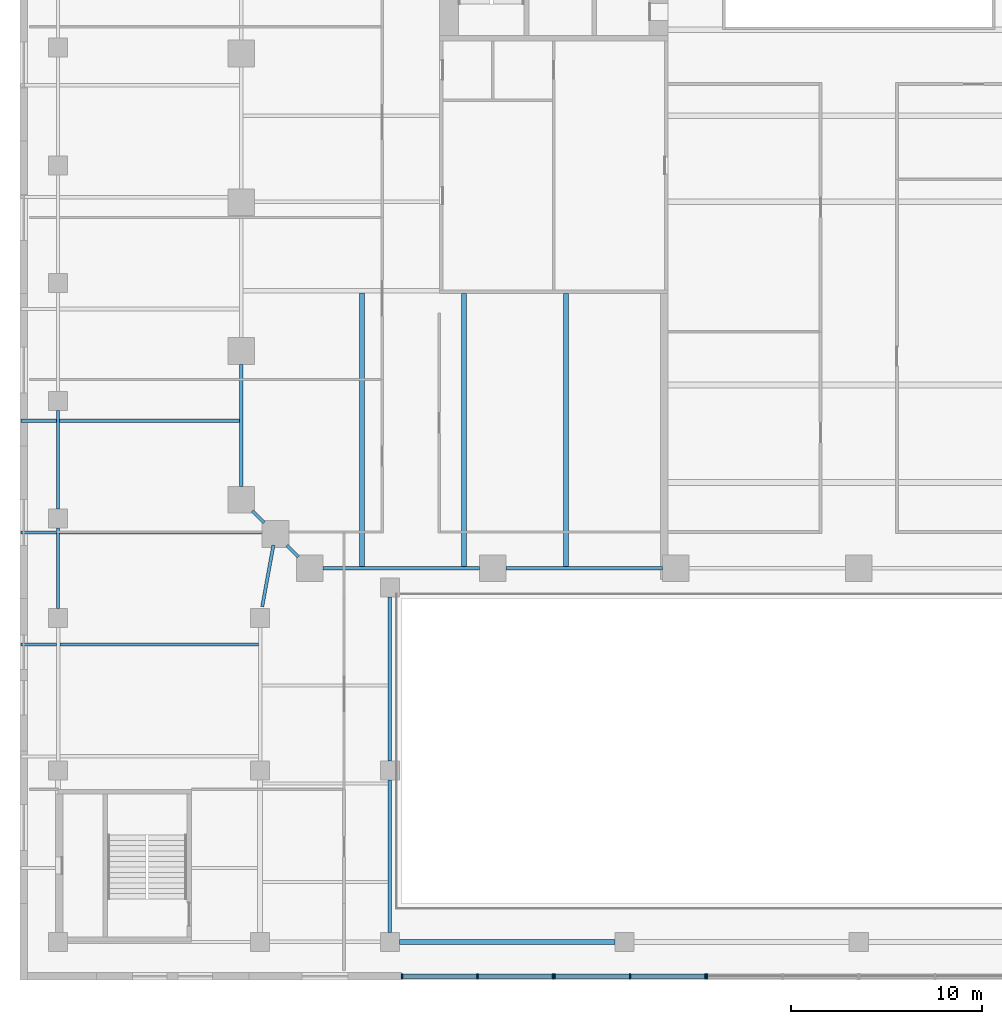
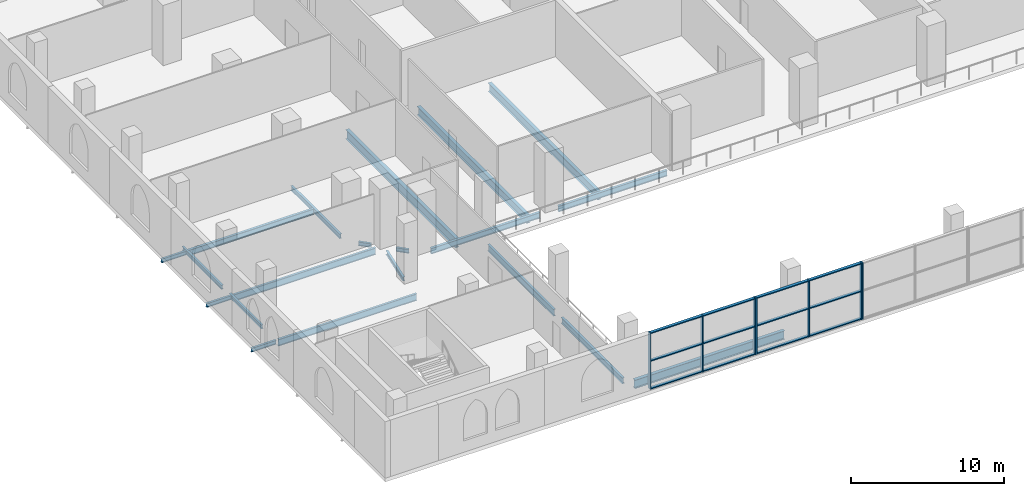
# One storey, part 2 of 19: 20 beams, 19 members, 3 elements without a shape of their own.
"""IFC4 building model written with IfcOpenShell, lengths in metres."""

import ifcopenshell
import ifcopenshell.guid

model = None  # the IFC model being written
_history = None  # IfcOwnerHistory: only IFC2X3 demands one
_inside = {}  # id of a spatial element -> (the spatial element, [elements in it])
_under = {}  # id of a project, library or spatial element -> (it, [spatial elements below it])
_declared = {}  # id of a project -> (the project, [libraries it declares])
_typed = {}  # id of a type object -> (the type object, [elements of that type])
_made_of = {}  # id of a material, layer set ... -> (it, [elements and type objects made of it])


def new_model(schema):
    """Start an empty IFC model of exactly this schema.

    Asked for "IFC4X3", IfcOpenShell would pick the latest addendum, in which some entities
    have other attributes; the version numbers below select the first issue.
    IFC2X3 requires an IfcOwnerHistory on every rooted entity: one is made here for all.
    """
    global model, _history
    if schema == "IFC4X3":
        model = ifcopenshell.file(schema_version=(4, 3, 0, 0))
    else:
        model = ifcopenshell.file(schema=schema)
    _inside.clear()
    _under.clear()
    _declared.clear()
    _typed.clear()
    _made_of.clear()
    _history = None
    if model.schema == "IFC2X3":
        org = make("IfcOrganization", Name="unknown")
        user = make(
            "IfcPersonAndOrganization",
            ThePerson=make("IfcPerson", FamilyName="unknown"),
            TheOrganization=org,
        )
        app = make(
            "IfcApplication",
            ApplicationDeveloper=org,
            Version="unknown",
            ApplicationFullName="unknown",
            ApplicationIdentifier="unknown",
        )
        _history = make(
            "IfcOwnerHistory",
            OwningUser=user,
            OwningApplication=app,
            ChangeAction="ADDED",
            CreationDate=0,
        )
    return model


def make(cls, **values):
    """One entity of the class cls with the attributes given. An attribute that is None is left unset."""
    return model.create_entity(
        cls, **{name: value for name, value in values.items() if value is not None}
    )


def rooted(cls, **values):
    """An entity with a GlobalId (a new one), such as an element, a storey or a relation."""
    return make(cls, GlobalId=ifcopenshell.guid.new(), OwnerHistory=_history, **values)


def si_unit(unit_type, name, prefix=None):
    """IfcSIUnit, for example si_unit("LENGTHUNIT", "METRE", prefix="MILLI")."""
    return make("IfcSIUnit", UnitType=unit_type, Prefix=prefix, Name=name)


def assignment(units):
    """IfcUnitAssignment: the units of a project."""
    return None if units is None else make("IfcUnitAssignment", Units=units)


def point(xyz):
    """IfcCartesianPoint."""
    return None if xyz is None else make("IfcCartesianPoint", Coordinates=xyz)


def direction(xyz):
    """IfcDirection."""
    return None if xyz is None else make("IfcDirection", DirectionRatios=xyz)


def frame(location, z_axis=None, x_axis=None):
    """IfcAxis2Placement3D, a coordinate frame: its origin and axes. An axis left out is left unset."""
    return make(
        "IfcAxis2Placement3D",
        Location=point(location),
        Axis=direction(z_axis),
        RefDirection=direction(x_axis),
    )


def frame_2d(location, x_axis=None):
    """IfcAxis2Placement2D, a coordinate frame in the plane: its origin and x axis."""
    return make(
        "IfcAxis2Placement2D", Location=point(location), RefDirection=direction(x_axis)
    )


def origin():
    """The frame at (0, 0, 0) with its axes left unset."""
    return frame((0.0, 0.0, 0.0))


def origin_2d():
    """The frame at (0, 0) in the plane with its x axis left unset."""
    return frame_2d((0.0, 0.0))


def place(relative_to, where):
    """IfcLocalPlacement: puts the frame where relative to a parent placement (None: the world)."""
    return make(
        "IfcLocalPlacement", PlacementRelTo=relative_to, RelativePlacement=where
    )


def context(
    kind, dimensions, precision=None, world=None, true_north=None, identifier=None
):
    """IfcGeometricRepresentationContext, for example the 3D "Model" context."""
    return make(
        "IfcGeometricRepresentationContext",
        ContextIdentifier=identifier,
        ContextType=kind,
        CoordinateSpaceDimension=dimensions,
        Precision=precision,
        WorldCoordinateSystem=world,
        TrueNorth=true_north,
    )


def subcontext(parent, identifier, kind, view, scale=None):
    """IfcGeometricRepresentationSubContext, for example "Body" below "Model"."""
    return make(
        "IfcGeometricRepresentationSubContext",
        ContextIdentifier=identifier,
        ContextType=kind,
        ParentContext=parent,
        TargetScale=scale,
        TargetView=view,
    )


def project(units=None, contexts=None):
    """IfcProject with its units and contexts."""
    return rooted(
        "IfcProject",
        Name="project",
        RepresentationContexts=contexts,
        UnitsInContext=assignment(units),
    )


def spatial(cls, under=None, at=None, **own):
    """A site, building, storey or space (cls), placed at a placement, below another one or the project."""
    s = rooted(cls, ObjectPlacement=at, **own)
    if under is not None:
        _under.setdefault(under.id(), (under, []))[1].append(s)
    return s


def profile(cls, at=None, kind="AREA", **sizes):
    """A parametric profile (cls). Its sizes go by their IFC names, for example OverallWidth=200.0."""
    return make(cls, ProfileType=kind, Position=at, **sizes)


def rectangle(**sizes):
    """IfcRectangleProfileDef."""
    return profile("IfcRectangleProfileDef", **sizes)


def i_section(**sizes):
    """IfcIShapeProfileDef."""
    return profile("IfcIShapeProfileDef", **sizes)


def extrude(swept, where, along, depth):
    """IfcExtrudedAreaSolid: the profile swept, set in the frame where, extruded along a direction by depth."""
    return make(
        "IfcExtrudedAreaSolid",
        SweptArea=swept,
        Position=where,
        ExtrudedDirection=direction(along),
        Depth=depth,
    )


def shape(context_of_items, identifier, shape_type, items):
    """IfcShapeRepresentation: the items that make up one representation, for example the "Body"."""
    return make(
        "IfcShapeRepresentation",
        ContextOfItems=context_of_items,
        RepresentationIdentifier=identifier,
        RepresentationType=shape_type,
        Items=items,
    )


def material(Name=None, Category=None):
    """IfcMaterial."""
    return make("IfcMaterial", Name=Name, Category=Category)


def material_profile(
    of_material, cross_section, Name=None, Category=None, Priority=None
):
    """IfcMaterialProfile: a cross section and its material."""
    return make(
        "IfcMaterialProfile",
        Name=Name,
        Material=of_material,
        Profile=cross_section,
        Priority=Priority,
        Category=Category,
    )


def profile_set(profiles, Name=None, composite=None):
    """IfcMaterialProfileSet."""
    return make(
        "IfcMaterialProfileSet",
        Name=Name,
        MaterialProfiles=profiles,
        CompositeProfile=composite,
    )


def made_of(thing, what):
    """Note that an element or type object is made of a material, layer set ...; save() writes the relation."""
    if what is not None:
        _made_of.setdefault(what.id(), (what, []))[1].append(thing)
    return thing


def type_object(cls, material=None, **own):
    """A type object (cls), such as IfcWallType, which elements share."""
    return made_of(rooted(cls, **own), material)


def element(
    cls,
    number,
    at=None,
    inside=None,
    cuts=None,
    type_object=None,
    material=None,
    context=None,
    identifier="Body",
    shape_type=None,
    held_by="IfcProductDefinitionShape",
    body=None,
    shapes=None,
    **own,
):
    """One element of the class cls, such as IfcWall. Its Tag is "e" and its number.

    at: its placement. inside: the storey or other place that contains it. cuts: it is an
    opening in that element (IfcRelVoidsElement). A single representation is given by context,
    identifier, shape_type and body (its items); several are given by shapes. held_by: the class
    of the entity that holds the representations. save() writes the other relations.
    """
    e = rooted(cls, Tag="e%d" % number, ObjectPlacement=at, **own)
    if body is not None:
        shapes = [shape(context, identifier, shape_type, body)]
    if shapes is not None:
        e.Representation = make(held_by, Representations=shapes)
    if inside is not None:
        _inside.setdefault(inside.id(), (inside, []))[1].append(e)
    if cuts is not None:
        rooted(
            "IfcRelVoidsElement", RelatingBuildingElement=cuts, RelatedOpeningElement=e
        )
    if type_object is not None:
        _typed.setdefault(type_object.id(), (type_object, []))[1].append(e)
    return made_of(e, material)


def aggregate(whole, parts):
    """IfcRelAggregates: a whole, such as a stair, and the parts it consists of."""
    return rooted("IfcRelAggregates", RelatingObject=whole, RelatedObjects=parts)


def save(model, path):
    """Write the relations noted so far, then the file.

    IfcRelAggregates (storeys below a building ...), IfcRelContainedInSpatialStructure (elements
    in a storey), IfcRelDefinesByType, IfcRelAssociatesMaterial and IfcRelDeclares: one each for
    every whole, place, type object, material and project.
    """
    for whole, parts in _under.values():
        aggregate(whole, parts)
    for where, things in _inside.values():
        rooted(
            "IfcRelContainedInSpatialStructure",
            RelatedElements=things,
            RelatingStructure=where,
        )
    for kind, things in _typed.values():
        rooted("IfcRelDefinesByType", RelatedObjects=things, RelatingType=kind)
    for what, things in _made_of.values():
        rooted("IfcRelAssociatesMaterial", RelatedObjects=things, RelatingMaterial=what)
    for by, libraries in _declared.values():
        rooted("IfcRelDeclares", RelatingContext=by, RelatedDefinitions=libraries)
    model.write(path)


model = new_model("IFC4")

# Units and contexts
model_context = context("Model", 3, precision=1e-05, world=origin(), true_north=direction((0.0, 1.0)))
body_context = subcontext(model_context, "Body", "Model", "MODEL_VIEW")
ifc_project = project(units=[si_unit("LENGTHUNIT", "METRE"), si_unit("AREAUNIT", "SQUARE_METRE"), si_unit("VOLUMEUNIT", "CUBIC_METRE"), si_unit("PLANEANGLEUNIT", "RADIAN"), si_unit("MASSUNIT", "GRAM", prefix="KILO")], contexts=[model_context])

# Site, building, storey
site_placement = place(None, origin())
site = spatial("IfcSite", under=ifc_project, at=site_placement, CompositionType="ELEMENT")
building_placement = place(site_placement, origin())
building = spatial("IfcBuilding", under=site, at=building_placement, Name="Ogive Exchange Tower", CompositionType="ELEMENT")
storey_placement = place(building_placement, frame((0.0, 0.0, 19.199951171875)))
storey = spatial("IfcBuildingStorey", under=building, at=storey_placement, Name="L03", CompositionType="ELEMENT", Elevation=19.199951171875)

# Beams
ifc_material_1 = material(Name="Steel ASTM A992 Gr50", Category="steel")
ifc_material_profile_1 = material_profile(ifc_material_1, i_section(OverallWidth=0.1650390625, OverallDepth=0.31005859375, WebThickness=0.005859375, FlangeThickness=0.009765625, at=origin_2d()), Name="W310x38.7")
ifc_profile_set_1 = profile_set([ifc_material_profile_1], Name="Steel ASTM A992 Gr50")
beam_type_1 = type_object("IfcBeamType", Name="Floor beam W310x38.7", PredefinedType="JOIST", material=ifc_profile_set_1)
beam_1_placement = place(storey_placement, frame((-43.949951171875, -34.39990234375, -0.454833984375), z_axis=(1.0, 0.0, 0.0), x_axis=(0.0, 1.0, 0.0)))
element("IfcBeam", 1, at=beam_1_placement, inside=storey, type_object=beam_type_1, Name="Floor beam", PredefinedType="JOIST", context=body_context, shape_type="SweptSolid", body=[
    extrude(i_section(OverallWidth=0.1650390625, OverallDepth=0.31005859375, WebThickness=0.005859375, FlangeThickness=0.009765625, at=origin_2d()), origin(), (0.0, 0.0, 1.0), 1.86083984375),
])
for number, where, z_axis, x_axis, name in (
    (2, (-43.949951171875, -28.533203125, -0.454833984375), (1.0, 0.0, 0.0), (0.0, 1.0, 0.0), "Floor beam"),
    (3, (-43.949951171875, -22.666748046875, -0.454833984375), (1.0, 0.0, 0.0), (0.0, 1.0, 0.0), "Floor beam"),
):
    element("IfcBeam", number, at=place(storey_placement, frame(where, z_axis=z_axis, x_axis=x_axis)), inside=storey, type_object=beam_type_1, Name=name, PredefinedType="JOIST", context=body_context, shape_type="SweptSolid", body=[
        extrude(i_section(OverallWidth=0.1650390625, OverallDepth=0.31005859375, WebThickness=0.005859375, FlangeThickness=0.009765625, at=origin_2d()), origin(), (0.0, 0.0, 1.0), 1.867431640625),
    ])
ifc_material_profile_2 = material_profile(ifc_material_1, i_section(OverallWidth=0.19091796875, OverallDepth=0.45703125, WebThickness=0.009033203125, FlangeThickness=0.014404296875, at=origin_2d()), Name="W460x74")
ifc_profile_set_2 = profile_set([ifc_material_profile_2], Name="Steel ASTM A992 Gr50")
beam_type_2 = type_object("IfcBeamType", Name="Floor beam W460x74", PredefinedType="JOIST", material=ifc_profile_set_2)
beam_2_placement = place(storey_placement, frame((-41.91748046875, -22.666748046875, -0.528564453125), z_axis=(1.0, 0.0, 0.0), x_axis=(0.0, 1.0, 0.0)))
element("IfcBeam", 4, at=beam_2_placement, inside=storey, type_object=beam_type_2, Name="Floor beam", PredefinedType="JOIST", context=body_context, shape_type="SweptSolid", body=[
    extrude(i_section(OverallWidth=0.19091796875, OverallDepth=0.45703125, WebThickness=0.009033203125, FlangeThickness=0.014404296875, at=origin_2d()), origin(), (0.0, 0.0, 1.0), 9.431884765625),
])
ifc_material_profile_3 = material_profile(ifc_material_1, i_section(OverallWidth=0.1669921875, OverallDepth=0.535888671875, WebThickness=0.01025390625, FlangeThickness=0.0166015625, at=origin_2d()), Name="W530x85")
ifc_profile_set_3 = profile_set([ifc_material_profile_3], Name="Steel ASTM A992 Gr50")
beam_type_3 = type_object("IfcBeamType", Name="Floor beam W530x85", PredefinedType="JOIST", material=ifc_profile_set_3)
beam_3_placement = place(storey_placement, frame((-41.910888671875, -34.39990234375, -0.56787109375), z_axis=(1.0, 0.0, 0.0), x_axis=(0.0, 1.0, 0.0)))
element("IfcBeam", 5, at=beam_3_placement, inside=storey, type_object=beam_type_3, Name="Floor beam", PredefinedType="JOIST", context=body_context, shape_type="SweptSolid", body=[
    extrude(i_section(OverallWidth=0.1669921875, OverallDepth=0.535888671875, WebThickness=0.01025390625, FlangeThickness=0.0166015625, at=origin_2d()), origin(), (0.0, 0.0, 1.0), 10.421875),
])
beam_4_placement = place(storey_placement, frame((-41.91748046875, -28.533203125, -0.56787109375), z_axis=(1.0, 0.0, 0.0), x_axis=(0.0, 1.0, 0.0)))
element("IfcBeam", 6, at=beam_4_placement, inside=storey, type_object=beam_type_3, Name="Floor beam", PredefinedType="JOIST", context=body_context, shape_type="SweptSolid", body=[
    extrude(i_section(OverallWidth=0.1669921875, OverallDepth=0.535888671875, WebThickness=0.01025390625, FlangeThickness=0.0166015625, at=origin_2d()), origin(), (0.0, 0.0, 1.0), 10.717529296875),
])
ifc_material_profile_4 = material_profile(ifc_material_1, i_section(OverallWidth=0.25390625, OverallDepth=0.68310546875, WebThickness=0.012451171875, FlangeThickness=0.018798828125, at=origin_2d()), Name="W690x140")
ifc_profile_set_4 = profile_set([ifc_material_profile_4], Name="Steel ASTM A992 Gr50")
beam_type_4 = type_object("IfcBeamType", Name="Floor beam W690x140", PredefinedType="JOIST", material=ifc_profile_set_4)
for number, where, z_axis, x_axis, name in (
    (7, (-20.699951171875, -30.304443359375, -0.641357421875), (0.0, 1.0, 0.0), (-1.0, 0.0, 0.0), "Floor beam"),
    (8, (-15.35009765625, -30.304443359375, -0.641357421875), (0.0, 1.0, 0.0), (-1.0, 0.0, 0.0), "Floor beam"),
):
    element("IfcBeam", number, at=place(storey_placement, frame(where, z_axis=z_axis, x_axis=x_axis)), inside=storey, type_object=beam_type_4, Name=name, PredefinedType="JOIST", context=body_context, shape_type="SweptSolid", body=[
        extrude(i_section(OverallWidth=0.25390625, OverallDepth=0.68310546875, WebThickness=0.012451171875, FlangeThickness=0.018798828125, at=origin_2d()), origin(), (0.0, 0.0, 1.0), 14.304443359375),
    ])
ifc_material_profile_5 = material_profile(ifc_material_1, i_section(OverallWidth=0.26708984375, OverallDepth=0.75390625, WebThickness=0.01318359375, FlangeThickness=0.01708984375, at=origin_2d()), Name="W760x147")
ifc_profile_set_5 = profile_set([ifc_material_profile_5], Name="Steel ASTM A992 Gr50")
beam_type_5 = type_object("IfcBeamType", Name="Floor beam W760x147", PredefinedType="JOIST", material=ifc_profile_set_5)
beam_5_placement = place(storey_placement, frame((-26.050048828125, -30.304443359375, -0.677001953125), z_axis=(0.0, 1.0, 0.0), x_axis=(-1.0, 0.0, 0.0)))
element("IfcBeam", 9, at=beam_5_placement, inside=storey, type_object=beam_type_5, Name="Floor beam", PredefinedType="JOIST", context=body_context, shape_type="SweptSolid", body=[
    extrude(i_section(OverallWidth=0.26708984375, OverallDepth=0.75390625, WebThickness=0.01318359375, FlangeThickness=0.01708984375, at=origin_2d()), origin(), (0.0, 0.0, 1.0), 14.345458984375),
])

# Curtain wall, members
ifc_material_2 = material(Name="Anodised aluminium and clear glass", Category="aluminium")
curtain_wall_type = type_object("IfcCurtainWallType", Name="Galleria end wall glazing", PredefinedType="NOTDEFINED", material=ifc_material_2)
curtain_wall_1_placement = place(storey_placement, origin())
curtain_wall_1 = element("IfcCurtainWall", 10, at=curtain_wall_1_placement, inside=storey, type_object=curtain_wall_type, Name="Galleria end wall glazing run GE4", PredefinedType="NOTDEFINED")
ifc_material_3 = material(Name="Anodised aluminium", Category="aluminium")
ifc_material_profile_6 = material_profile(ifc_material_3, rectangle(XDim=0.260009765625, YDim=0.080078125, at=origin_2d()), Name="AL 80x260")
ifc_profile_set_6 = profile_set([ifc_material_profile_6], Name="Anodised aluminium")
member_type_1 = type_object("IfcMemberType", Name="Galleria end wall glazing mullion 80 x 260", PredefinedType="MULLION", material=ifc_profile_set_6)
member_1_placement = place(storey_placement, frame((-23.9599609375, -51.800048828125, 0.0), z_axis=(0.0, 0.0, 1.0), x_axis=(0.0, 1.0, 0.0)))
member_1 = element("IfcMember", 11, at=member_1_placement, type_object=member_type_1, Name="GE4 mullion 1", PredefinedType="MULLION", context=body_context, shape_type="SweptSolid", body=[
    extrude(rectangle(XDim=0.260009765625, YDim=0.080078125, at=origin_2d()), origin(), (0.0, 0.0, 1.0), 4.5),
])
member_2_placement = place(storey_placement, frame((-20.0, -51.800048828125, 0.0), z_axis=(0.0, 0.0, 1.0), x_axis=(0.0, 1.0, 0.0)))
member_2 = element("IfcMember", 12, at=member_2_placement, type_object=member_type_1, Name="GE4 mullion 2", PredefinedType="MULLION", context=body_context, shape_type="SweptSolid", body=[
    extrude(rectangle(XDim=0.260009765625, YDim=0.080078125, at=origin_2d()), origin(), (0.0, 0.0, 1.0), 4.5),
])
member_3_placement = place(storey_placement, frame((-16.0400390625, -51.800048828125, 0.0), z_axis=(0.0, 0.0, 1.0), x_axis=(0.0, 1.0, 0.0)))
member_3 = element("IfcMember", 13, at=member_3_placement, type_object=member_type_1, Name="GE4 mullion 3", PredefinedType="MULLION", context=body_context, shape_type="SweptSolid", body=[
    extrude(rectangle(XDim=0.260009765625, YDim=0.080078125, at=origin_2d()), origin(), (0.0, 0.0, 1.0), 4.5),
])

curtain_wall_2_placement = place(storey_placement, origin())
curtain_wall_2 = element("IfcCurtainWall", 14, at=curtain_wall_2_placement, inside=storey, type_object=curtain_wall_type, Name="Galleria end wall glazing run GE5", PredefinedType="NOTDEFINED")
member_4_placement = place(storey_placement, frame((-15.9599609375, -51.800048828125, 0.0), z_axis=(0.0, 0.0, 1.0), x_axis=(0.0, 1.0, 0.0)))
member_4 = element("IfcMember", 15, at=member_4_placement, type_object=member_type_1, Name="GE5 mullion 1", PredefinedType="MULLION", context=body_context, shape_type="SweptSolid", body=[
    extrude(rectangle(XDim=0.260009765625, YDim=0.080078125, at=origin_2d()), origin(), (0.0, 0.0, 1.0), 4.5),
])
member_5_placement = place(storey_placement, frame((-12.0, -51.800048828125, 0.0), z_axis=(0.0, 0.0, 1.0), x_axis=(0.0, 1.0, 0.0)))
member_5 = element("IfcMember", 16, at=member_5_placement, type_object=member_type_1, Name="GE5 mullion 2", PredefinedType="MULLION", context=body_context, shape_type="SweptSolid", body=[
    extrude(rectangle(XDim=0.260009765625, YDim=0.080078125, at=origin_2d()), origin(), (0.0, 0.0, 1.0), 4.5),
])
member_6_placement = place(storey_placement, frame((-8.0400390625, -51.800048828125, 0.0), z_axis=(0.0, 0.0, 1.0), x_axis=(0.0, 1.0, 0.0)))
member_6 = element("IfcMember", 17, at=member_6_placement, type_object=member_type_1, Name="GE5 mullion 3", PredefinedType="MULLION", context=body_context, shape_type="SweptSolid", body=[
    extrude(rectangle(XDim=0.260009765625, YDim=0.080078125, at=origin_2d()), origin(), (0.0, 0.0, 1.0), 4.5),
])

# Curtain wall, member
curtain_wall_3_placement = place(storey_placement, origin())
curtain_wall_3 = element("IfcCurtainWall", 18, at=curtain_wall_3_placement, inside=storey, type_object=curtain_wall_type, Name="Galleria end wall glazing run GE6", PredefinedType="NOTDEFINED")
member_7_placement = place(storey_placement, frame((-7.9599609375, -51.800048828125, 0.0), z_axis=(0.0, 0.0, 1.0), x_axis=(0.0, 1.0, 0.0)))
member_7 = element("IfcMember", 19, at=member_7_placement, type_object=member_type_1, Name="GE6 mullion 1", PredefinedType="MULLION", context=body_context, shape_type="SweptSolid", body=[
    extrude(rectangle(XDim=0.260009765625, YDim=0.080078125, at=origin_2d()), origin(), (0.0, 0.0, 1.0), 4.5),
])
aggregate(curtain_wall_3, [member_7])

# Member
ifc_material_profile_7 = material_profile(ifc_material_3, rectangle(XDim=0.219970703125, YDim=0.080078125, at=origin_2d()), Name="AL 80x220")
ifc_profile_set_7 = profile_set([ifc_material_profile_7], Name="Anodised aluminium")
member_type_2 = type_object("IfcMemberType", Name="Galleria end wall glazing transom 80 x 220", PredefinedType="USERDEFINED", material=ifc_profile_set_7)
member_8_placement = place(storey_placement, frame((-23.919921875, -51.800048828125, 0.0400390625), z_axis=(1.0, 0.0, 0.0), x_axis=(0.0, 1.0, 0.0)))
member_8 = element("IfcMember", 20, at=member_8_placement, type_object=member_type_2, Name="GE4 transom 1.1", ObjectType="TRANSOM", PredefinedType="USERDEFINED", context=body_context, shape_type="SweptSolid", body=[
    extrude(rectangle(XDim=0.219970703125, YDim=0.080078125, at=origin_2d()), origin(), (0.0, 0.0, 1.0), 3.8798828125),
])

member_9_placement = place(storey_placement, frame((-23.919921875, -51.800048828125, 2.25), z_axis=(1.0, 0.0, 0.0), x_axis=(0.0, 1.0, 0.0)))
member_9 = element("IfcMember", 21, at=member_9_placement, type_object=member_type_2, Name="GE4 transom 1.2", ObjectType="TRANSOM", PredefinedType="USERDEFINED", context=body_context, shape_type="SweptSolid", body=[
    extrude(rectangle(XDim=0.219970703125, YDim=0.080078125, at=origin_2d()), origin(), (0.0, 0.0, 1.0), 3.8798828125),
])

member_10_placement = place(storey_placement, frame((-23.919921875, -51.800048828125, 4.4599609375), z_axis=(1.0, 0.0, 0.0), x_axis=(0.0, 1.0, 0.0)))
member_10 = element("IfcMember", 22, at=member_10_placement, type_object=member_type_2, Name="GE4 transom 1.3", ObjectType="TRANSOM", PredefinedType="USERDEFINED", context=body_context, shape_type="SweptSolid", body=[
    extrude(rectangle(XDim=0.219970703125, YDim=0.080078125, at=origin_2d()), origin(), (0.0, 0.0, 1.0), 3.8798828125),
])

member_11_placement = place(storey_placement, frame((-19.9599609375, -51.800048828125, 0.0400390625), z_axis=(1.0, 0.0, 0.0), x_axis=(0.0, 1.0, 0.0)))
member_11 = element("IfcMember", 23, at=member_11_placement, type_object=member_type_2, Name="GE4 transom 2.1", ObjectType="TRANSOM", PredefinedType="USERDEFINED", context=body_context, shape_type="SweptSolid", body=[
    extrude(rectangle(XDim=0.219970703125, YDim=0.080078125, at=origin_2d()), origin(), (0.0, 0.0, 1.0), 3.8798828125),
])

member_12_placement = place(storey_placement, frame((-19.9599609375, -51.800048828125, 2.25), z_axis=(1.0, 0.0, 0.0), x_axis=(0.0, 1.0, 0.0)))
member_12 = element("IfcMember", 24, at=member_12_placement, type_object=member_type_2, Name="GE4 transom 2.2", ObjectType="TRANSOM", PredefinedType="USERDEFINED", context=body_context, shape_type="SweptSolid", body=[
    extrude(rectangle(XDim=0.219970703125, YDim=0.080078125, at=origin_2d()), origin(), (0.0, 0.0, 1.0), 3.8798828125),
])

member_13_placement = place(storey_placement, frame((-19.9599609375, -51.800048828125, 4.4599609375), z_axis=(1.0, 0.0, 0.0), x_axis=(0.0, 1.0, 0.0)))
member_13 = element("IfcMember", 25, at=member_13_placement, type_object=member_type_2, Name="GE4 transom 2.3", ObjectType="TRANSOM", PredefinedType="USERDEFINED", context=body_context, shape_type="SweptSolid", body=[
    extrude(rectangle(XDim=0.219970703125, YDim=0.080078125, at=origin_2d()), origin(), (0.0, 0.0, 1.0), 3.8798828125),
])

aggregate(curtain_wall_1, [member_1, member_2, member_3, member_8, member_9, member_10, member_11, member_12, member_13])

member_14_placement = place(storey_placement, frame((-15.919921875, -51.800048828125, 0.0400390625), z_axis=(1.0, 0.0, 0.0), x_axis=(0.0, 1.0, 0.0)))
member_14 = element("IfcMember", 26, at=member_14_placement, type_object=member_type_2, Name="GE5 transom 1.1", ObjectType="TRANSOM", PredefinedType="USERDEFINED", context=body_context, shape_type="SweptSolid", body=[
    extrude(rectangle(XDim=0.219970703125, YDim=0.080078125, at=origin_2d()), origin(), (0.0, 0.0, 1.0), 3.8798828125),
])

member_15_placement = place(storey_placement, frame((-15.919921875, -51.800048828125, 2.25), z_axis=(1.0, 0.0, 0.0), x_axis=(0.0, 1.0, 0.0)))
member_15 = element("IfcMember", 27, at=member_15_placement, type_object=member_type_2, Name="GE5 transom 1.2", ObjectType="TRANSOM", PredefinedType="USERDEFINED", context=body_context, shape_type="SweptSolid", body=[
    extrude(rectangle(XDim=0.219970703125, YDim=0.080078125, at=origin_2d()), origin(), (0.0, 0.0, 1.0), 3.8798828125),
])

member_16_placement = place(storey_placement, frame((-15.919921875, -51.800048828125, 4.4599609375), z_axis=(1.0, 0.0, 0.0), x_axis=(0.0, 1.0, 0.0)))
member_16 = element("IfcMember", 28, at=member_16_placement, type_object=member_type_2, Name="GE5 transom 1.3", ObjectType="TRANSOM", PredefinedType="USERDEFINED", context=body_context, shape_type="SweptSolid", body=[
    extrude(rectangle(XDim=0.219970703125, YDim=0.080078125, at=origin_2d()), origin(), (0.0, 0.0, 1.0), 3.8798828125),
])

member_17_placement = place(storey_placement, frame((-11.9599609375, -51.800048828125, 0.0400390625), z_axis=(1.0, 0.0, 0.0), x_axis=(0.0, 1.0, 0.0)))
member_17 = element("IfcMember", 29, at=member_17_placement, type_object=member_type_2, Name="GE5 transom 2.1", ObjectType="TRANSOM", PredefinedType="USERDEFINED", context=body_context, shape_type="SweptSolid", body=[
    extrude(rectangle(XDim=0.219970703125, YDim=0.080078125, at=origin_2d()), origin(), (0.0, 0.0, 1.0), 3.8798828125),
])

member_18_placement = place(storey_placement, frame((-11.9599609375, -51.800048828125, 2.25), z_axis=(1.0, 0.0, 0.0), x_axis=(0.0, 1.0, 0.0)))
member_18 = element("IfcMember", 30, at=member_18_placement, type_object=member_type_2, Name="GE5 transom 2.2", ObjectType="TRANSOM", PredefinedType="USERDEFINED", context=body_context, shape_type="SweptSolid", body=[
    extrude(rectangle(XDim=0.219970703125, YDim=0.080078125, at=origin_2d()), origin(), (0.0, 0.0, 1.0), 3.8798828125),
])

member_19_placement = place(storey_placement, frame((-11.9599609375, -51.800048828125, 4.4599609375), z_axis=(1.0, 0.0, 0.0), x_axis=(0.0, 1.0, 0.0)))
member_19 = element("IfcMember", 31, at=member_19_placement, type_object=member_type_2, Name="GE5 transom 2.3", ObjectType="TRANSOM", PredefinedType="USERDEFINED", context=body_context, shape_type="SweptSolid", body=[
    extrude(rectangle(XDim=0.219970703125, YDim=0.080078125, at=origin_2d()), origin(), (0.0, 0.0, 1.0), 3.8798828125),
])

aggregate(curtain_wall_2, [member_4, member_5, member_6, member_14, member_15, member_16, member_17, member_18, member_19])

# Beams
ifc_material_profile_8 = material_profile(ifc_material_1, i_section(OverallWidth=0.1650390625, OverallDepth=0.31005859375, WebThickness=0.005859375, FlangeThickness=0.009765625, at=origin_2d()), Name="W310x38.7")
ifc_profile_set_8 = profile_set([ifc_material_profile_8], Name="Steel ASTM A992 Gr50")
beam_type_6 = type_object("IfcBeamType", Name="Girder W310x38.7", PredefinedType="BEAM", material=ifc_profile_set_8)
for number, where, z_axis, x_axis, name in (
    (32, (-31.805908203125, -27.39404296875, -0.454833984375), (0.706965712506, -0.707247821729, 0.0), (0.707247821729, 0.706965712506, 0.0), "Girder"),
    (33, (-30.006103515625, -29.194091796875, -0.454833984375), (0.707247821729, -0.706965712506, 0.0), (0.706965712506, 0.707247821729, 0.0), "Girder"),
):
    element("IfcBeam", number, at=place(storey_placement, frame(where, z_axis=z_axis, x_axis=x_axis)), inside=storey, type_object=beam_type_6, Name=name, PredefinedType="BEAM", context=body_context, shape_type="SweptSolid", body=[
        extrude(i_section(OverallWidth=0.1650390625, OverallDepth=0.31005859375, WebThickness=0.005859375, FlangeThickness=0.009765625, at=origin_2d()), origin(), (0.0, 0.0, 1.0), 0.865478515625),
    ])
beam_6_placement = place(storey_placement, frame((-31.292724609375, -32.40966796875, -0.454833984375), z_axis=(0.178911700404, 0.983865134792, 0.0), x_axis=(-0.983865134792, 0.178911700404, 0.0)))
element("IfcBeam", 34, at=beam_6_placement, inside=storey, type_object=beam_type_6, Name="Girder", PredefinedType="BEAM", context=body_context, shape_type="SweptSolid", body=[
    extrude(i_section(OverallWidth=0.1650390625, OverallDepth=0.31005859375, WebThickness=0.005859375, FlangeThickness=0.009765625, at=origin_2d()), origin(), (0.0, 0.0, 1.0), 3.272216796875),
])
beam_7_placement = place(storey_placement, frame((-42.0, -32.5, -0.454833984375), z_axis=(0.0, 1.0, 0.0), x_axis=(-1.0, 0.0, 0.0)))
element("IfcBeam", 35, at=beam_7_placement, inside=storey, type_object=beam_type_6, Name="Girder", PredefinedType="BEAM", context=body_context, shape_type="SweptSolid", body=[
    extrude(i_section(OverallWidth=0.1650390625, OverallDepth=0.31005859375, WebThickness=0.005859375, FlangeThickness=0.009765625, at=origin_2d()), origin(), (0.0, 0.0, 1.0), 4.199951171875),
])
beam_8_placement = place(storey_placement, frame((-42.0, -27.300048828125, -0.454833984375), z_axis=(0.0, 1.0, 0.0), x_axis=(-1.0, 0.0, 0.0)))
element("IfcBeam", 36, at=beam_8_placement, inside=storey, type_object=beam_type_6, Name="Girder", PredefinedType="BEAM", context=body_context, shape_type="SweptSolid", body=[
    extrude(i_section(OverallWidth=0.1650390625, OverallDepth=0.31005859375, WebThickness=0.005859375, FlangeThickness=0.009765625, at=origin_2d()), origin(), (0.0, 0.0, 1.0), 5.179931640625),
])
ifc_material_profile_9 = material_profile(ifc_material_1, i_section(OverallWidth=0.1708984375, OverallDepth=0.35595703125, WebThickness=0.00732421875, FlangeThickness=0.01171875, at=origin_2d()), Name="W360x51")
ifc_profile_set_9 = profile_set([ifc_material_profile_9], Name="Steel ASTM A992 Gr50")
beam_type_7 = type_object("IfcBeamType", Name="Girder W360x51", PredefinedType="BEAM", material=ifc_profile_set_9)
beam_9_placement = place(storey_placement, frame((-32.39990234375, -19.699951171875, -0.47802734375), z_axis=(0.0, -1.0, 0.0), x_axis=(1.0, 0.0, 0.0)))
element("IfcBeam", 37, at=beam_9_placement, inside=storey, type_object=beam_type_7, Name="Girder", PredefinedType="BEAM", context=body_context, shape_type="SweptSolid", body=[
    extrude(i_section(OverallWidth=0.1708984375, OverallDepth=0.35595703125, WebThickness=0.00732421875, FlangeThickness=0.01171875, at=origin_2d()), origin(), (0.0, 0.0, 1.0), 6.400146484375),
])
ifc_material_profile_10 = material_profile(ifc_material_1, i_section(OverallWidth=0.19091796875, OverallDepth=0.45703125, WebThickness=0.009033203125, FlangeThickness=0.014404296875, at=origin_2d()), Name="W460x74")
ifc_profile_set_10 = profile_set([ifc_material_profile_10], Name="Steel ASTM A992 Gr50")
beam_type_8 = type_object("IfcBeamType", Name="Girder W460x74", PredefinedType="BEAM", material=ifc_profile_set_10)
beam_10_placement = place(storey_placement, frame((-28.10009765625, -30.39990234375, -0.528564453125), z_axis=(1.0, 0.0, 0.0), x_axis=(0.0, 1.0, 0.0)))
element("IfcBeam", 38, at=beam_10_placement, inside=storey, type_object=beam_type_8, Name="Girder", PredefinedType="BEAM", context=body_context, shape_type="SweptSolid", body=[
    extrude(i_section(OverallWidth=0.19091796875, OverallDepth=0.45703125, WebThickness=0.009033203125, FlangeThickness=0.014404296875, at=origin_2d()), origin(), (0.0, 0.0, 1.0), 8.2001953125),
])
beam_11_placement = place(storey_placement, frame((-18.5, -30.39990234375, -0.528564453125), z_axis=(1.0, 0.0, 0.0), x_axis=(0.0, 1.0, 0.0)))
element("IfcBeam", 39, at=beam_11_placement, inside=storey, type_object=beam_type_8, Name="Girder", PredefinedType="BEAM", context=body_context, shape_type="SweptSolid", body=[
    extrude(i_section(OverallWidth=0.19091796875, OverallDepth=0.45703125, WebThickness=0.009033203125, FlangeThickness=0.014404296875, at=origin_2d()), origin(), (0.0, 0.0, 1.0), 8.199951171875),
])
beam_12_placement = place(storey_placement, frame((-24.60009765625, -49.5, -0.528564453125), z_axis=(0.0, 1.0, 0.0), x_axis=(-1.0, 0.0, 0.0)))
element("IfcBeam", 40, at=beam_12_placement, inside=storey, type_object=beam_type_8, Name="Girder", PredefinedType="BEAM", context=body_context, shape_type="SweptSolid", body=[
    extrude(i_section(OverallWidth=0.19091796875, OverallDepth=0.45703125, WebThickness=0.009033203125, FlangeThickness=0.014404296875, at=origin_2d()), origin(), (0.0, 0.0, 1.0), 8.0),
])
ifc_material_profile_11 = material_profile(ifc_material_1, i_section(OverallWidth=0.1669921875, OverallDepth=0.535888671875, WebThickness=0.01025390625, FlangeThickness=0.0166015625, at=origin_2d()), Name="W530x85")
ifc_profile_set_11 = profile_set([ifc_material_profile_11], Name="Steel ASTM A992 Gr50")
beam_type_9 = type_object("IfcBeamType", Name="Girder W530x85", PredefinedType="BEAM", material=ifc_profile_set_11)
beam_13_placement = place(storey_placement, frame((-24.60009765625, -40.5, -0.56787109375), z_axis=(0.0, 1.0, 0.0), x_axis=(-1.0, 0.0, 0.0)))
element("IfcBeam", 41, at=beam_13_placement, inside=storey, type_object=beam_type_9, Name="Girder", PredefinedType="BEAM", context=body_context, shape_type="SweptSolid", body=[
    extrude(i_section(OverallWidth=0.1669921875, OverallDepth=0.535888671875, WebThickness=0.01025390625, FlangeThickness=0.0166015625, at=origin_2d()), origin(), (0.0, 0.0, 1.0), 8.60009765625),
])
ifc_material_profile_12 = material_profile(ifc_material_1, i_section(OverallWidth=0.25390625, OverallDepth=0.677978515625, WebThickness=0.01171875, FlangeThickness=0.016357421875, at=origin_2d()), Name="W690x125")
ifc_profile_set_12 = profile_set([ifc_material_profile_12], Name="Steel ASTM A992 Gr50")
beam_type_10 = type_object("IfcBeamType", Name="Girder W690x125", PredefinedType="BEAM", material=ifc_profile_set_12)
beam_14_placement = place(storey_placement, frame((-24.10009765625, -50.0, -0.638916015625), z_axis=(1.0, 0.0, 0.0), x_axis=(0.0, 1.0, 0.0)))
element("IfcBeam", 42, at=beam_14_placement, inside=storey, type_object=beam_type_10, Name="Girder", PredefinedType="BEAM", context=body_context, shape_type="SweptSolid", body=[
    extrude(i_section(OverallWidth=0.25390625, OverallDepth=0.677978515625, WebThickness=0.01171875, FlangeThickness=0.016357421875, at=origin_2d()), origin(), (0.0, 0.0, 1.0), 11.300048828125),
])

save(model, "model.ifc")
